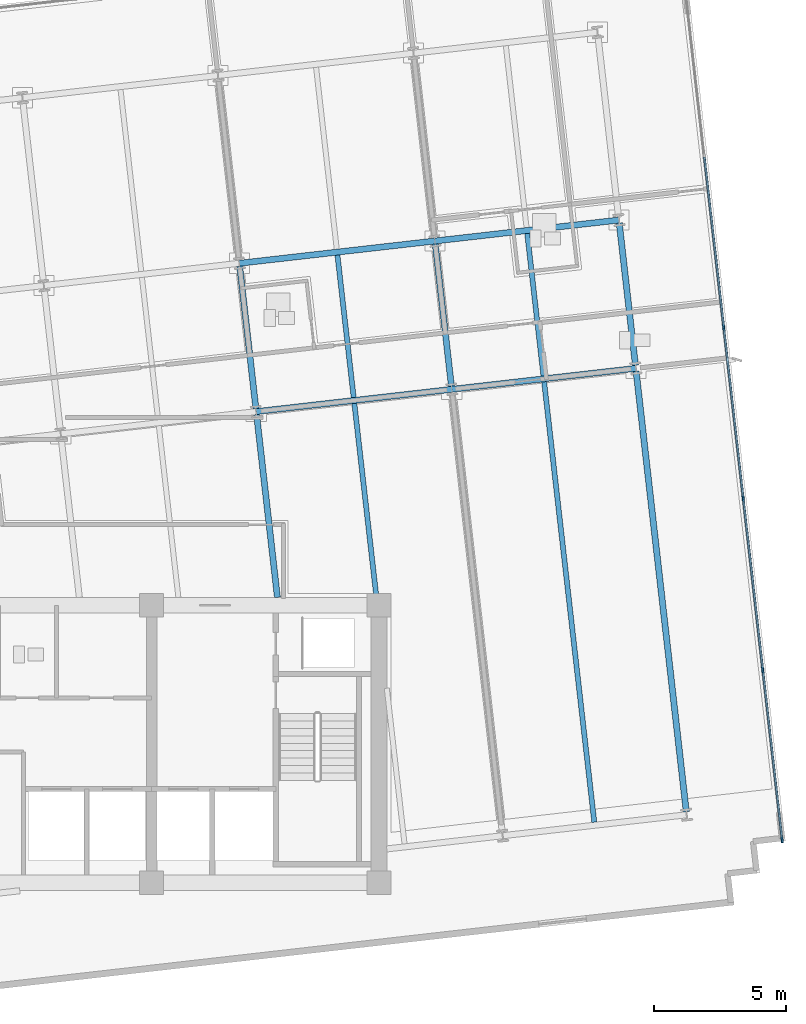
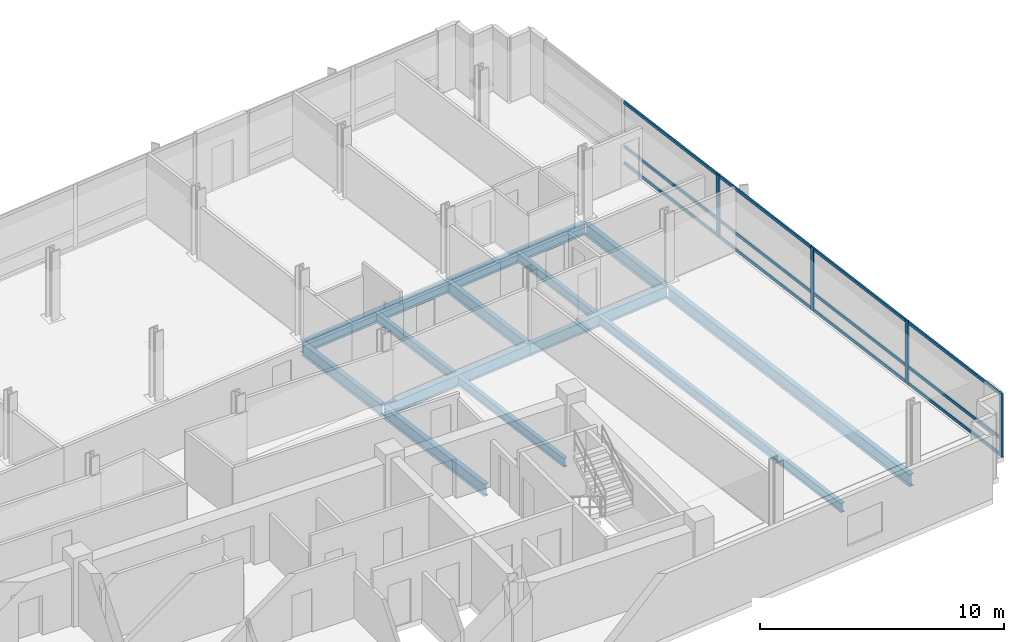
# One storey, part 4 of 16: 16 members, 13 beams, 1 element without a shape of its own.
"""IFC4 building model written with IfcOpenShell, lengths in metres."""

from ifc_helpers import new_model, si_unit, direction, frame, origin, origin_2d, place, context, subcontext, project, spatial, rectangle, i_section, extrude, material, material_profile, profile_set, type_object, element, aggregate, save


model = new_model("IFC4")

# Units and contexts
model_context = context("Model", 3, precision=1e-05, world=origin(), true_north=direction((0.0, 1.0)))
body_context = subcontext(model_context, "Body", "Model", "MODEL_VIEW")
ifc_project = project(units=[si_unit("LENGTHUNIT", "METRE"), si_unit("AREAUNIT", "SQUARE_METRE"), si_unit("VOLUMEUNIT", "CUBIC_METRE"), si_unit("PLANEANGLEUNIT", "RADIAN"), si_unit("MASSUNIT", "GRAM", prefix="KILO")], contexts=[model_context])

# Site, building, storey
site_placement = place(None, origin())
site = spatial("IfcSite", under=ifc_project, at=site_placement, CompositionType="ELEMENT")
building_placement = place(site_placement, origin())
building = spatial("IfcBuilding", under=site, at=building_placement, Name="Solmavex Isthmus Hotel", CompositionType="ELEMENT")
storey_placement = place(building_placement, frame((0.0, 0.0, 233.10009765625)))
storey = spatial("IfcBuildingStorey", under=building, at=storey_placement, Name="L63", CompositionType="ELEMENT", Elevation=233.10009765625)

# Beams
ifc_material_1 = material(Name="Steel ASTM A992 Grade 50", Category="steel")
ifc_material_profile_1 = material_profile(ifc_material_1, i_section(OverallWidth=0.1904296875, OverallDepth=0.456787109375, WebThickness=0.009033203125, FlangeThickness=0.014404296875, FilletRadius=0.0126953125, at=origin_2d()), Name="W18X50")
ifc_profile_set_1 = profile_set([ifc_material_profile_1], Name="Steel ASTM A992 Grade 50")
beam_type_1 = type_object("IfcBeamType", Name="BM-BJ-W18X50", PredefinedType="JOIST", material=ifc_profile_set_1)
beam_1_placement = place(storey_placement, frame((15.908447265625, -2.199951171875, -0.488525390625), z_axis=(-0.113224925382, 0.99356938171, 0.0), x_axis=(-0.99356938171, -0.113224925382, 0.0)))
element("IfcBeam", 1, at=beam_1_placement, inside=storey, type_object=beam_type_1, Name="Secondary Floor Joist L63-J16", PredefinedType="JOIST", context=body_context, shape_type="SweptSolid", body=[
    extrude(i_section(OverallWidth=0.1904296875, OverallDepth=0.456787109375, WebThickness=0.009033203125, FlangeThickness=0.014404296875, FilletRadius=0.0126953125, at=origin_2d()), origin(), (0.0, 0.0, 1.0), 7.38525390625),
])
beam_2_placement = place(storey_placement, frame((15.046630859375, 5.364013671875, -0.488525390625), z_axis=(-0.113189626161, 0.993573403695, 0.0), x_axis=(-0.993573403695, -0.113189626161, 0.0)))
element("IfcBeam", 2, at=beam_2_placement, inside=storey, type_object=beam_type_1, Name="Secondary Floor Joist L63-J17", PredefinedType="JOIST", context=body_context, shape_type="SweptSolid", body=[
    extrude(i_section(OverallWidth=0.1904296875, OverallDepth=0.456787109375, WebThickness=0.009033203125, FlangeThickness=0.014404296875, FilletRadius=0.0126953125, at=origin_2d()), origin(), (0.0, 0.0, 1.0), 5.42041015625),
])
beam_3_placement = place(storey_placement, frame((24.1513671875, -10.707275390625, -0.488525390625), z_axis=(-0.113198426291, 0.993572401129, 0.0), x_axis=(-0.993572401129, -0.113198426291, 0.0)))
element("IfcBeam", 3, at=beam_3_placement, inside=storey, type_object=beam_type_1, Name="Secondary Floor Joist L63-J19", PredefinedType="JOIST", context=body_context, shape_type="SweptSolid", body=[
    extrude(i_section(OverallWidth=0.1904296875, OverallDepth=0.456787109375, WebThickness=0.009033203125, FlangeThickness=0.014404296875, FilletRadius=0.0126953125, at=origin_2d()), origin(), (0.0, 0.0, 1.0), 16.77099609375),
])
beam_4_placement = place(storey_placement, frame((22.22705078125, 6.18212890625, -0.488525390625), z_axis=(-0.113189626161, 0.993573403695, 0.0), x_axis=(-0.993573403695, -0.113189626161, 0.0)))
element("IfcBeam", 4, at=beam_4_placement, inside=storey, type_object=beam_type_1, Name="Secondary Floor Joist L63-J20", PredefinedType="JOIST", context=body_context, shape_type="SweptSolid", body=[
    extrude(i_section(OverallWidth=0.1904296875, OverallDepth=0.456787109375, WebThickness=0.009033203125, FlangeThickness=0.014404296875, FilletRadius=0.0126953125, at=origin_2d()), origin(), (0.0, 0.0, 1.0), 5.42041015625),
])
ifc_material_profile_2 = material_profile(ifc_material_1, i_section(OverallWidth=0.227783203125, OverallDepth=0.602783203125, WebThickness=0.010498046875, FlangeThickness=0.014892578125, FilletRadius=0.01513671875, at=origin_2d()), Name="W24X68")
ifc_profile_set_2 = profile_set([ifc_material_profile_2], Name="Steel ASTM A992 Grade 50")
beam_type_2 = type_object("IfcBeamType", Name="BM-BM-W24X68", PredefinedType="BEAM", material=ifc_profile_set_2)
beam_5_placement = place(storey_placement, frame((11.3603515625, 4.829345703125, -0.5615234375), z_axis=(0.9935703463, 0.113216460607, 0.0), x_axis=(-0.113216460607, 0.9935703463, 0.0)))
element("IfcBeam", 5, at=beam_5_placement, inside=storey, type_object=beam_type_2, Name="Floor Girder L63-UG10", PredefinedType="BEAM", context=body_context, shape_type="SweptSolid", body=[
    extrude(i_section(OverallWidth=0.227783203125, OverallDepth=0.602783203125, WebThickness=0.010498046875, FlangeThickness=0.014892578125, FilletRadius=0.01513671875, at=origin_2d()), origin(), (0.0, 0.0, 1.0), 7.446044921875),
])
beam_6_placement = place(storey_placement, frame((18.758544921875, 5.67236328125, -0.5615234375), z_axis=(0.99357359356, 0.113187959519, 0.0), x_axis=(-0.113187959519, 0.99357359356, 0.0)))
element("IfcBeam", 6, at=beam_6_placement, inside=storey, type_object=beam_type_2, Name="Floor Girder L63-UG11", PredefinedType="BEAM", context=body_context, shape_type="SweptSolid", body=[
    extrude(i_section(OverallWidth=0.227783203125, OverallDepth=0.602783203125, WebThickness=0.010498046875, FlangeThickness=0.014892578125, FilletRadius=0.01513671875, at=origin_2d()), origin(), (0.0, 0.0, 1.0), 7.0078125),
])
beam_7_placement = place(storey_placement, frame((10.720947265625, 10.441162109375, -0.5615234375), z_axis=(0.993574034044, 0.113184092846, 0.0), x_axis=(-0.113184092846, 0.993574034044, 0.0)))
element("IfcBeam", 7, at=beam_7_placement, inside=storey, type_object=beam_type_2, Name="Floor Girder L63-UG16", PredefinedType="BEAM", context=body_context, shape_type="SweptSolid", body=[
    extrude(i_section(OverallWidth=0.227783203125, OverallDepth=0.602783203125, WebThickness=0.010498046875, FlangeThickness=0.014892578125, FilletRadius=0.01513671875, at=origin_2d()), origin(), (0.0, 0.0, 1.0), 7.446044921875),
])
beam_8_placement = place(storey_placement, frame((18.119140625, 11.283935546875, -0.5615234375), z_axis=(0.993569675103, 0.113222350774, 0.0), x_axis=(-0.113222350774, 0.993569675103, 0.0)))
element("IfcBeam", 8, at=beam_8_placement, inside=storey, type_object=beam_type_2, Name="Floor Girder L63-UG17", PredefinedType="BEAM", context=body_context, shape_type="SweptSolid", body=[
    extrude(i_section(OverallWidth=0.227783203125, OverallDepth=0.602783203125, WebThickness=0.010498046875, FlangeThickness=0.014892578125, FilletRadius=0.01513671875, at=origin_2d()), origin(), (0.0, 0.0, 1.0), 7.008056640625),
])
beam_9_placement = place(storey_placement, frame((12.161376953125, -2.199951171875, -0.5615234375), z_axis=(-0.113214229187, 0.993570600566, 0.0), x_axis=(-0.993570600566, -0.113214229187, 0.0)))
element("IfcBeam", 9, at=beam_9_placement, inside=storey, type_object=beam_type_2, Name="Floor Beam L63-VG37", PredefinedType="BEAM", context=body_context, shape_type="SweptSolid", body=[
    extrude(i_section(OverallWidth=0.227783203125, OverallDepth=0.602783203125, WebThickness=0.010498046875, FlangeThickness=0.014892578125, FilletRadius=0.01513671875, at=origin_2d()), origin(), (0.0, 0.0, 1.0), 6.9609375),
])
beam_10_placement = place(storey_placement, frame((11.347412109375, 4.942626953125, -0.5615234375), z_axis=(-0.113194691868, 0.993572826587, 0.0), x_axis=(-0.993572826587, -0.113194691868, 0.0)))
element("IfcBeam", 10, at=beam_10_placement, inside=storey, type_object=beam_type_2, Name="Floor Beam L63-VG38", PredefinedType="BEAM", context=body_context, shape_type="SweptSolid", body=[
    extrude(i_section(OverallWidth=0.227783203125, OverallDepth=0.602783203125, WebThickness=0.010498046875, FlangeThickness=0.014892578125, FilletRadius=0.01513671875, at=origin_2d()), origin(), (0.0, 0.0, 1.0), 5.420166015625),
])
beam_11_placement = place(storey_placement, frame((18.74560546875, 5.785400390625, -0.5615234375), z_axis=(-0.113189626161, 0.993573403695, 0.0), x_axis=(-0.993573403695, -0.113189626161, 0.0)))
element("IfcBeam", 11, at=beam_11_placement, inside=storey, type_object=beam_type_2, Name="Floor Beam L63-VG41", PredefinedType="BEAM", context=body_context, shape_type="SweptSolid", body=[
    extrude(i_section(OverallWidth=0.227783203125, OverallDepth=0.602783203125, WebThickness=0.010498046875, FlangeThickness=0.014892578125, FilletRadius=0.01513671875, at=origin_2d()), origin(), (0.0, 0.0, 1.0), 5.42041015625),
])
ifc_material_profile_3 = material_profile(ifc_material_1, i_section(OverallWidth=0.230224609375, OverallDepth=0.617431640625, WebThickness=0.01318359375, FlangeThickness=0.022216796875, FilletRadius=0.01513671875, at=origin_2d()), Name="W24X94")
ifc_profile_set_3 = profile_set([ifc_material_profile_3], Name="Steel ASTM A992 Grade 50")
beam_type_3 = type_object("IfcBeamType", Name="BM-SP-W24X94", PredefinedType="SPANDREL", material=ifc_profile_set_3)
beam_12_placement = place(storey_placement, frame((27.6328125, -10.310546875, -0.56884765625), z_axis=(-0.113198426291, 0.993572401129, 0.0), x_axis=(-0.993572401129, -0.113198426291, 0.0)))
element("IfcBeam", 12, at=beam_12_placement, inside=storey, type_object=beam_type_3, Name="Floor Beam L63-VG43", PredefinedType="SPANDREL", context=body_context, shape_type="SweptSolid", body=[
    extrude(i_section(OverallWidth=0.230224609375, OverallDepth=0.617431640625, WebThickness=0.01318359375, FlangeThickness=0.022216796875, FilletRadius=0.01513671875, at=origin_2d()), origin(), (0.0, 0.0, 1.0), 16.77099609375),
])
beam_13_placement = place(storey_placement, frame((25.70849609375, 6.578857421875, -0.56884765625), z_axis=(-0.113194691868, 0.993572826587, 0.0), x_axis=(-0.993572826587, -0.113194691868, 0.0)))
element("IfcBeam", 13, at=beam_13_placement, inside=storey, type_object=beam_type_3, Name="Floor Beam L63-VG44", PredefinedType="SPANDREL", context=body_context, shape_type="SweptSolid", body=[
    extrude(i_section(OverallWidth=0.230224609375, OverallDepth=0.617431640625, WebThickness=0.01318359375, FlangeThickness=0.022216796875, FilletRadius=0.01513671875, at=origin_2d()), origin(), (0.0, 0.0, 1.0), 5.420166015625),
])

# Curtain wall, members
ifc_material_2 = material(Name="Aluminium alloy 6063-T6", Category="aluminium")
curtain_wall_type = type_object("IfcCurtainWallType", Name="CW-SYS-04", PredefinedType="NOTDEFINED", material=ifc_material_2)
curtain_wall_placement = place(storey_placement, origin())
curtain_wall = element("IfcCurtainWall", 14, at=curtain_wall_placement, inside=storey, type_object=curtain_wall_type, Name="Stick Curtain Wall CWL-L63-E1", PredefinedType="NOTDEFINED")
ifc_material_profile_4 = material_profile(ifc_material_2, rectangle(XDim=0.074951171875, YDim=0.199951171875, at=origin_2d()), Name="CWM-75X200")
ifc_profile_set_4 = profile_set([ifc_material_profile_4], Name="Aluminium alloy 6063-T6")
member_type_1 = type_object("IfcMemberType", Name="CW-SYS-04-MUL", PredefinedType="MULLION", material=ifc_profile_set_4)
member_1_placement = place(storey_placement, frame((31.2578125, -11.384765625, 0.0), z_axis=(0.0, 0.0, 1.0), x_axis=(-0.993571836648, -0.11320338078, 0.0)))
member_1 = element("IfcMember", 15, at=member_1_placement, type_object=member_type_1, Name="CW-04 mullion 1", PredefinedType="MULLION", context=body_context, shape_type="SweptSolid", body=[
    extrude(rectangle(XDim=0.074951171875, YDim=0.199951171875, at=origin_2d()), origin(), (0.0, 0.0, 1.0), 3.18994140625),
])
member_2_placement = place(storey_placement, frame((30.52392578125, -4.944091796875, 0.0), z_axis=(0.0, 0.0, 1.0), x_axis=(-0.993571836648, -0.11320338078, 0.0)))
member_2 = element("IfcMember", 16, at=member_2_placement, type_object=member_type_1, Name="CW-04 mullion 2", PredefinedType="MULLION", context=body_context, shape_type="SweptSolid", body=[
    extrude(rectangle(XDim=0.074951171875, YDim=0.199951171875, at=origin_2d()), origin(), (0.0, 0.0, 1.0), 3.18994140625),
])
member_3_placement = place(storey_placement, frame((29.785888671875, 1.533935546875, 0.0), z_axis=(0.0, 0.0, 1.0), x_axis=(-0.993571836648, -0.11320338078, 0.0)))
member_3 = element("IfcMember", 17, at=member_3_placement, type_object=member_type_1, Name="CW-04 mullion 3", PredefinedType="MULLION", context=body_context, shape_type="SweptSolid", body=[
    extrude(rectangle(XDim=0.074951171875, YDim=0.199951171875, at=origin_2d()), origin(), (0.0, 0.0, 1.0), 3.18994140625),
])
member_4_placement = place(storey_placement, frame((29.0478515625, 8.01220703125, 0.0), z_axis=(0.0, 0.0, 1.0), x_axis=(-0.993571836648, -0.11320338078, 0.0)))
member_4 = element("IfcMember", 18, at=member_4_placement, type_object=member_type_1, Name="CW-04 mullion 4", PredefinedType="MULLION", context=body_context, shape_type="SweptSolid", body=[
    extrude(rectangle(XDim=0.074951171875, YDim=0.199951171875, at=origin_2d()), origin(), (0.0, 0.0, 1.0), 3.18994140625),
])
ifc_material_profile_5 = material_profile(ifc_material_2, rectangle(XDim=0.074951171875, YDim=0.14990234375, at=origin_2d()), Name="CWT-75X150")
ifc_profile_set_5 = profile_set([ifc_material_profile_5], Name="Aluminium alloy 6063-T6")
member_type_2 = type_object("IfcMemberType", Name="CW-SYS-04-TRN", PredefinedType="USERDEFINED", material=ifc_profile_set_5)
member_5_placement = place(storey_placement, frame((31.253662109375, -11.34765625, 0.074951171875), z_axis=(-0.113199495412, 0.993572279323, 0.0), x_axis=(-0.993572279323, -0.113199495412, 0.0)))
member_5 = element("IfcMember", 19, at=member_5_placement, type_object=member_type_2, Name="CW-04 transom 1.1", ObjectType="TRANSOM", PredefinedType="USERDEFINED", context=body_context, shape_type="SweptSolid", body=[
    extrude(rectangle(XDim=0.074951171875, YDim=0.14990234375, at=origin_2d()), origin(), (0.0, 0.0, 1.0), 6.40771484375),
])
member_6_placement = place(storey_placement, frame((31.253662109375, -11.34765625, 0.89990234375), z_axis=(-0.113199495412, 0.993572279323, 0.0), x_axis=(-0.993572279323, -0.113199495412, 0.0)))
member_6 = element("IfcMember", 20, at=member_6_placement, type_object=member_type_2, Name="CW-04 transom 1.2", ObjectType="TRANSOM", PredefinedType="USERDEFINED", context=body_context, shape_type="SweptSolid", body=[
    extrude(rectangle(XDim=0.074951171875, YDim=0.14990234375, at=origin_2d()), origin(), (0.0, 0.0, 1.0), 6.40771484375),
])
member_7_placement = place(storey_placement, frame((31.253662109375, -11.34765625, 3.114990234375), z_axis=(-0.113199495412, 0.993572279323, 0.0), x_axis=(-0.993572279323, -0.113199495412, 0.0)))
member_7 = element("IfcMember", 21, at=member_7_placement, type_object=member_type_2, Name="CW-04 transom 1.3", ObjectType="TRANSOM", PredefinedType="USERDEFINED", context=body_context, shape_type="SweptSolid", body=[
    extrude(rectangle(XDim=0.074951171875, YDim=0.14990234375, at=origin_2d()), origin(), (0.0, 0.0, 1.0), 6.40771484375),
])
member_8_placement = place(storey_placement, frame((30.519775390625, -4.90673828125, 0.074951171875), z_axis=(-0.113225012477, 0.993569371785, 0.0), x_axis=(-0.993569371785, -0.113225012477, 0.0)))
member_8 = element("IfcMember", 22, at=member_8_placement, type_object=member_type_2, Name="CW-04 transom 2.1", ObjectType="TRANSOM", PredefinedType="USERDEFINED", context=body_context, shape_type="SweptSolid", body=[
    extrude(rectangle(XDim=0.074951171875, YDim=0.14990234375, at=origin_2d()), origin(), (0.0, 0.0, 1.0), 6.445068359375),
])
member_9_placement = place(storey_placement, frame((30.519775390625, -4.90673828125, 0.89990234375), z_axis=(-0.113225012477, 0.993569371785, 0.0), x_axis=(-0.993569371785, -0.113225012477, 0.0)))
member_9 = element("IfcMember", 23, at=member_9_placement, type_object=member_type_2, Name="CW-04 transom 2.2", ObjectType="TRANSOM", PredefinedType="USERDEFINED", context=body_context, shape_type="SweptSolid", body=[
    extrude(rectangle(XDim=0.074951171875, YDim=0.14990234375, at=origin_2d()), origin(), (0.0, 0.0, 1.0), 6.445068359375),
])
member_10_placement = place(storey_placement, frame((30.519775390625, -4.90673828125, 3.114990234375), z_axis=(-0.113225012477, 0.993569371785, 0.0), x_axis=(-0.993569371785, -0.113225012477, 0.0)))
member_10 = element("IfcMember", 24, at=member_10_placement, type_object=member_type_2, Name="CW-04 transom 2.3", ObjectType="TRANSOM", PredefinedType="USERDEFINED", context=body_context, shape_type="SweptSolid", body=[
    extrude(rectangle(XDim=0.074951171875, YDim=0.14990234375, at=origin_2d()), origin(), (0.0, 0.0, 1.0), 6.445068359375),
])
member_11_placement = place(storey_placement, frame((29.78173828125, 1.5712890625, 0.074951171875), z_axis=(-0.113225012477, 0.993569371785, 0.0), x_axis=(-0.993569371785, -0.113225012477, 0.0)))
member_11 = element("IfcMember", 25, at=member_11_placement, type_object=member_type_2, Name="CW-04 transom 3.1", ObjectType="TRANSOM", PredefinedType="USERDEFINED", context=body_context, shape_type="SweptSolid", body=[
    extrude(rectangle(XDim=0.074951171875, YDim=0.14990234375, at=origin_2d()), origin(), (0.0, 0.0, 1.0), 6.445068359375),
])
member_12_placement = place(storey_placement, frame((29.78173828125, 1.5712890625, 0.89990234375), z_axis=(-0.113225012477, 0.993569371785, 0.0), x_axis=(-0.993569371785, -0.113225012477, 0.0)))
member_12 = element("IfcMember", 26, at=member_12_placement, type_object=member_type_2, Name="CW-04 transom 3.2", ObjectType="TRANSOM", PredefinedType="USERDEFINED", context=body_context, shape_type="SweptSolid", body=[
    extrude(rectangle(XDim=0.074951171875, YDim=0.14990234375, at=origin_2d()), origin(), (0.0, 0.0, 1.0), 6.445068359375),
])
member_13_placement = place(storey_placement, frame((29.78173828125, 1.5712890625, 3.114990234375), z_axis=(-0.113225012477, 0.993569371785, 0.0), x_axis=(-0.993569371785, -0.113225012477, 0.0)))
member_13 = element("IfcMember", 27, at=member_13_placement, type_object=member_type_2, Name="CW-04 transom 3.3", ObjectType="TRANSOM", PredefinedType="USERDEFINED", context=body_context, shape_type="SweptSolid", body=[
    extrude(rectangle(XDim=0.074951171875, YDim=0.14990234375, at=origin_2d()), origin(), (0.0, 0.0, 1.0), 6.445068359375),
])
member_14_placement = place(storey_placement, frame((29.04345703125, 8.04931640625, 0.074951171875), z_axis=(-0.113187617296, 0.993573632546, 0.0), x_axis=(-0.993573632546, -0.113187617296, 0.0)))
member_14 = element("IfcMember", 28, at=member_14_placement, type_object=member_type_2, Name="CW-04 transom 4.1", ObjectType="TRANSOM", PredefinedType="USERDEFINED", context=body_context, shape_type="SweptSolid", body=[
    extrude(rectangle(XDim=0.074951171875, YDim=0.14990234375, at=origin_2d()), origin(), (0.0, 0.0, 1.0), 6.445068359375),
])
member_15_placement = place(storey_placement, frame((29.04345703125, 8.04931640625, 0.89990234375), z_axis=(-0.113187617296, 0.993573632546, 0.0), x_axis=(-0.993573632546, -0.113187617296, 0.0)))
member_15 = element("IfcMember", 29, at=member_15_placement, type_object=member_type_2, Name="CW-04 transom 4.2", ObjectType="TRANSOM", PredefinedType="USERDEFINED", context=body_context, shape_type="SweptSolid", body=[
    extrude(rectangle(XDim=0.074951171875, YDim=0.14990234375, at=origin_2d()), origin(), (0.0, 0.0, 1.0), 6.445068359375),
])
member_16_placement = place(storey_placement, frame((29.04345703125, 8.04931640625, 3.114990234375), z_axis=(-0.113187617296, 0.993573632546, 0.0), x_axis=(-0.993573632546, -0.113187617296, 0.0)))
member_16 = element("IfcMember", 30, at=member_16_placement, type_object=member_type_2, Name="CW-04 transom 4.3", ObjectType="TRANSOM", PredefinedType="USERDEFINED", context=body_context, shape_type="SweptSolid", body=[
    extrude(rectangle(XDim=0.074951171875, YDim=0.14990234375, at=origin_2d()), origin(), (0.0, 0.0, 1.0), 6.445068359375),
])
aggregate(curtain_wall, [member_1, member_2, member_3, member_4, member_5, member_6, member_7, member_8, member_9, member_10, member_11, member_12, member_13, member_14, member_15, member_16])

save(model, "model.ifc")
